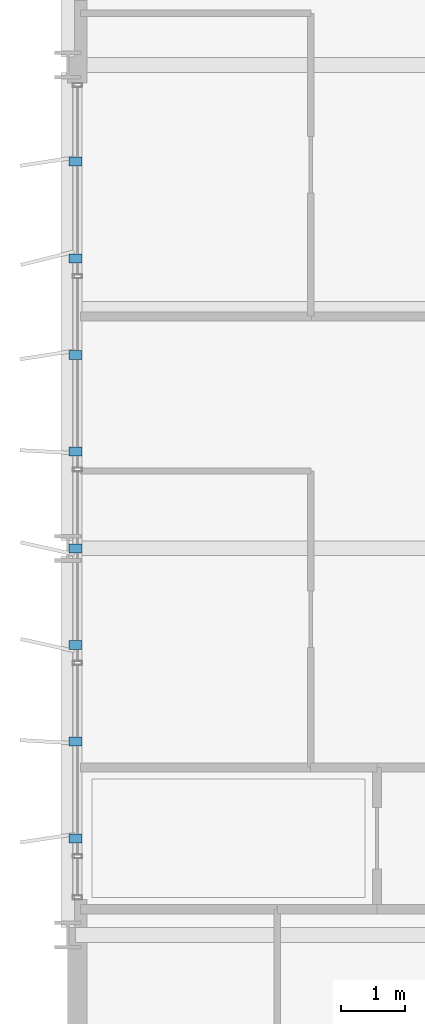
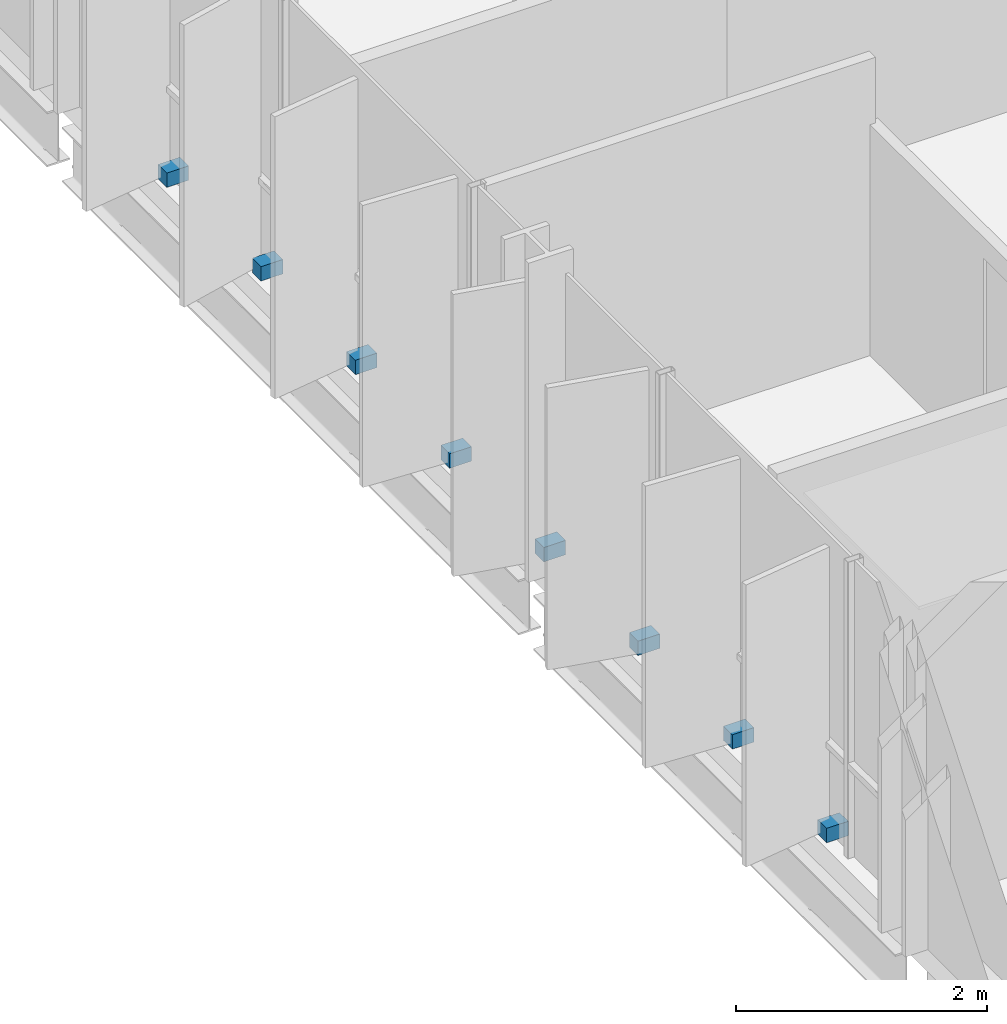
# One storey, part 34 of 39: 8 discrete accessories.
"""IFC4 building model written with IfcOpenShell, lengths in metres."""

import ifcopenshell
import ifcopenshell.guid

model = None  # the IFC model being written
_history = None  # IfcOwnerHistory: only IFC2X3 demands one
_inside = {}  # id of a spatial element -> (the spatial element, [elements in it])
_under = {}  # id of a project, library or spatial element -> (it, [spatial elements below it])
_declared = {}  # id of a project -> (the project, [libraries it declares])
_typed = {}  # id of a type object -> (the type object, [elements of that type])
_made_of = {}  # id of a material, layer set ... -> (it, [elements and type objects made of it])


def new_model(schema):
    """Start an empty IFC model of exactly this schema.

    Asked for "IFC4X3", IfcOpenShell would pick the latest addendum, in which some entities
    have other attributes; the version numbers below select the first issue.
    IFC2X3 requires an IfcOwnerHistory on every rooted entity: one is made here for all.
    """
    global model, _history
    if schema == "IFC4X3":
        model = ifcopenshell.file(schema_version=(4, 3, 0, 0))
    else:
        model = ifcopenshell.file(schema=schema)
    _inside.clear()
    _under.clear()
    _declared.clear()
    _typed.clear()
    _made_of.clear()
    _history = None
    if model.schema == "IFC2X3":
        org = make("IfcOrganization", Name="unknown")
        user = make(
            "IfcPersonAndOrganization",
            ThePerson=make("IfcPerson", FamilyName="unknown"),
            TheOrganization=org,
        )
        app = make(
            "IfcApplication",
            ApplicationDeveloper=org,
            Version="unknown",
            ApplicationFullName="unknown",
            ApplicationIdentifier="unknown",
        )
        _history = make(
            "IfcOwnerHistory",
            OwningUser=user,
            OwningApplication=app,
            ChangeAction="ADDED",
            CreationDate=0,
        )
    return model


def make(cls, **values):
    """One entity of the class cls with the attributes given. An attribute that is None is left unset."""
    return model.create_entity(
        cls, **{name: value for name, value in values.items() if value is not None}
    )


def rooted(cls, **values):
    """An entity with a GlobalId (a new one), such as an element, a storey or a relation."""
    return make(cls, GlobalId=ifcopenshell.guid.new(), OwnerHistory=_history, **values)


def si_unit(unit_type, name, prefix=None):
    """IfcSIUnit, for example si_unit("LENGTHUNIT", "METRE", prefix="MILLI")."""
    return make("IfcSIUnit", UnitType=unit_type, Prefix=prefix, Name=name)


def assignment(units):
    """IfcUnitAssignment: the units of a project."""
    return None if units is None else make("IfcUnitAssignment", Units=units)


def point(xyz):
    """IfcCartesianPoint."""
    return None if xyz is None else make("IfcCartesianPoint", Coordinates=xyz)


def direction(xyz):
    """IfcDirection."""
    return None if xyz is None else make("IfcDirection", DirectionRatios=xyz)


def frame(location, z_axis=None, x_axis=None):
    """IfcAxis2Placement3D, a coordinate frame: its origin and axes. An axis left out is left unset."""
    return make(
        "IfcAxis2Placement3D",
        Location=point(location),
        Axis=direction(z_axis),
        RefDirection=direction(x_axis),
    )


def frame_2d(location, x_axis=None):
    """IfcAxis2Placement2D, a coordinate frame in the plane: its origin and x axis."""
    return make(
        "IfcAxis2Placement2D", Location=point(location), RefDirection=direction(x_axis)
    )


def origin():
    """The frame at (0, 0, 0) with its axes left unset."""
    return frame((0.0, 0.0, 0.0))


def origin_2d():
    """The frame at (0, 0) in the plane with its x axis left unset."""
    return frame_2d((0.0, 0.0))


def place(relative_to, where):
    """IfcLocalPlacement: puts the frame where relative to a parent placement (None: the world)."""
    return make(
        "IfcLocalPlacement", PlacementRelTo=relative_to, RelativePlacement=where
    )


def context(
    kind, dimensions, precision=None, world=None, true_north=None, identifier=None
):
    """IfcGeometricRepresentationContext, for example the 3D "Model" context."""
    return make(
        "IfcGeometricRepresentationContext",
        ContextIdentifier=identifier,
        ContextType=kind,
        CoordinateSpaceDimension=dimensions,
        Precision=precision,
        WorldCoordinateSystem=world,
        TrueNorth=true_north,
    )


def subcontext(parent, identifier, kind, view, scale=None):
    """IfcGeometricRepresentationSubContext, for example "Body" below "Model"."""
    return make(
        "IfcGeometricRepresentationSubContext",
        ContextIdentifier=identifier,
        ContextType=kind,
        ParentContext=parent,
        TargetScale=scale,
        TargetView=view,
    )


def project(units=None, contexts=None):
    """IfcProject with its units and contexts."""
    return rooted(
        "IfcProject",
        Name="project",
        RepresentationContexts=contexts,
        UnitsInContext=assignment(units),
    )


def spatial(cls, under=None, at=None, **own):
    """A site, building, storey or space (cls), placed at a placement, below another one or the project."""
    s = rooted(cls, ObjectPlacement=at, **own)
    if under is not None:
        _under.setdefault(under.id(), (under, []))[1].append(s)
    return s


def profile(cls, at=None, kind="AREA", **sizes):
    """A parametric profile (cls). Its sizes go by their IFC names, for example OverallWidth=200.0."""
    return make(cls, ProfileType=kind, Position=at, **sizes)


def rectangle(**sizes):
    """IfcRectangleProfileDef."""
    return profile("IfcRectangleProfileDef", **sizes)


def extrude(swept, where, along, depth):
    """IfcExtrudedAreaSolid: the profile swept, set in the frame where, extruded along a direction by depth."""
    return make(
        "IfcExtrudedAreaSolid",
        SweptArea=swept,
        Position=where,
        ExtrudedDirection=direction(along),
        Depth=depth,
    )


def shape(context_of_items, identifier, shape_type, items):
    """IfcShapeRepresentation: the items that make up one representation, for example the "Body"."""
    return make(
        "IfcShapeRepresentation",
        ContextOfItems=context_of_items,
        RepresentationIdentifier=identifier,
        RepresentationType=shape_type,
        Items=items,
    )


def material(Name=None, Category=None):
    """IfcMaterial."""
    return make("IfcMaterial", Name=Name, Category=Category)


def made_of(thing, what):
    """Note that an element or type object is made of a material, layer set ...; save() writes the relation."""
    if what is not None:
        _made_of.setdefault(what.id(), (what, []))[1].append(thing)
    return thing


def type_object(cls, material=None, **own):
    """A type object (cls), such as IfcWallType, which elements share."""
    return made_of(rooted(cls, **own), material)


def element(
    cls,
    number,
    at=None,
    inside=None,
    cuts=None,
    type_object=None,
    material=None,
    context=None,
    identifier="Body",
    shape_type=None,
    held_by="IfcProductDefinitionShape",
    body=None,
    shapes=None,
    **own,
):
    """One element of the class cls, such as IfcWall. Its Tag is "e" and its number.

    at: its placement. inside: the storey or other place that contains it. cuts: it is an
    opening in that element (IfcRelVoidsElement). A single representation is given by context,
    identifier, shape_type and body (its items); several are given by shapes. held_by: the class
    of the entity that holds the representations. save() writes the other relations.
    """
    e = rooted(cls, Tag="e%d" % number, ObjectPlacement=at, **own)
    if body is not None:
        shapes = [shape(context, identifier, shape_type, body)]
    if shapes is not None:
        e.Representation = make(held_by, Representations=shapes)
    if inside is not None:
        _inside.setdefault(inside.id(), (inside, []))[1].append(e)
    if cuts is not None:
        rooted(
            "IfcRelVoidsElement", RelatingBuildingElement=cuts, RelatedOpeningElement=e
        )
    if type_object is not None:
        _typed.setdefault(type_object.id(), (type_object, []))[1].append(e)
    return made_of(e, material)


def aggregate(whole, parts):
    """IfcRelAggregates: a whole, such as a stair, and the parts it consists of."""
    return rooted("IfcRelAggregates", RelatingObject=whole, RelatedObjects=parts)


def save(model, path):
    """Write the relations noted so far, then the file.

    IfcRelAggregates (storeys below a building ...), IfcRelContainedInSpatialStructure (elements
    in a storey), IfcRelDefinesByType, IfcRelAssociatesMaterial and IfcRelDeclares: one each for
    every whole, place, type object, material and project.
    """
    for whole, parts in _under.values():
        aggregate(whole, parts)
    for where, things in _inside.values():
        rooted(
            "IfcRelContainedInSpatialStructure",
            RelatedElements=things,
            RelatingStructure=where,
        )
    for kind, things in _typed.values():
        rooted("IfcRelDefinesByType", RelatedObjects=things, RelatingType=kind)
    for what, things in _made_of.values():
        rooted("IfcRelAssociatesMaterial", RelatedObjects=things, RelatingMaterial=what)
    for by, libraries in _declared.values():
        rooted("IfcRelDeclares", RelatingContext=by, RelatedDefinitions=libraries)
    model.write(path)


model = new_model("IFC4")

# Units and contexts
model_context = context("Model", 3, precision=1e-05, world=origin(), true_north=direction((0.0, 1.0)))
body_context = subcontext(model_context, "Body", "Model", "MODEL_VIEW")
ifc_project = project(units=[si_unit("LENGTHUNIT", "METRE"), si_unit("AREAUNIT", "SQUARE_METRE"), si_unit("VOLUMEUNIT", "CUBIC_METRE"), si_unit("PLANEANGLEUNIT", "RADIAN"), si_unit("MASSUNIT", "GRAM", prefix="KILO")], contexts=[model_context])

# Site, building, storey
site_placement = place(None, origin())
site = spatial("IfcSite", under=ifc_project, at=site_placement, CompositionType="ELEMENT")
building_placement = place(site_placement, origin())
building = spatial("IfcBuilding", under=site, at=building_placement, Name="Brevholm Reach", CompositionType="ELEMENT")
storey_placement = place(building_placement, frame((0.0, 0.0, 115.89990234375)))
storey = spatial("IfcBuildingStorey", under=building, at=storey_placement, Name="L34", CompositionType="ELEMENT", Elevation=115.89990234375)

# Discrete accessories
ifc_material = material(Name="Duplex Stainless Steel EN 1.4462", Category="steel")
discrete_accessory_type = type_object("IfcDiscreteAccessoryType", Name="ACC-BRK-01", PredefinedType="BRACKET", material=ifc_material)
for number, where, z_axis, x_axis, name in (
    (1, (0.1201171875, 11.5, 0.0302734375), (0.0, 0.0, 1.0), (-1.0, 0.0, 0.0), "L34 Solar Screen Support Bracket 1"),
    (2, (0.1201171875, 13.0, 0.0302734375), (0.0, 0.0, 1.0), (-1.0, 0.0, 0.0), "L34 Solar Screen Support Bracket 2"),
    (3, (0.1201171875, 14.5, 0.0302734375), (0.0, 0.0, 1.0), (-1.0, 0.0, 0.0), "L34 Solar Screen Support Bracket 3"),
    (4, (0.1201171875, 16.0, 0.0302734375), (0.0, 0.0, 1.0), (-1.0, 0.0, 0.0), "L34 Solar Screen Support Bracket 4"),
    (5, (0.1201171875, 17.5, 0.0302734375), (0.0, 0.0, 1.0), (-1.0, 0.0, 0.0), "L34 Solar Screen Support Bracket 5"),
    (6, (0.1201171875, 19.0, 0.0302734375), (0.0, 0.0, 1.0), (-1.0, 0.0, 0.0), "L34 Solar Screen Support Bracket 6"),
    (7, (0.1201171875, 20.5, 0.0302734375), (0.0, 0.0, 1.0), (-1.0, 0.0, 0.0), "L34 Solar Screen Support Bracket 7"),
    (8, (0.1201171875, 22.0, 0.0302734375), (0.0, 0.0, 1.0), (-1.0, 0.0, 0.0), "L34 Solar Screen Support Bracket 8"),
):
    element("IfcDiscreteAccessory", number, at=place(storey_placement, frame(where, z_axis=z_axis, x_axis=x_axis)), inside=storey, type_object=discrete_accessory_type, Name=name, PredefinedType="BRACKET", context=body_context, shape_type="SweptSolid", body=[
        extrude(rectangle(XDim=0.199951171875, YDim=0.139892578125, at=origin_2d()), origin(), (0.0, 0.0, 1.0), 0.139892578125),
    ])

save(model, "model.ifc")
